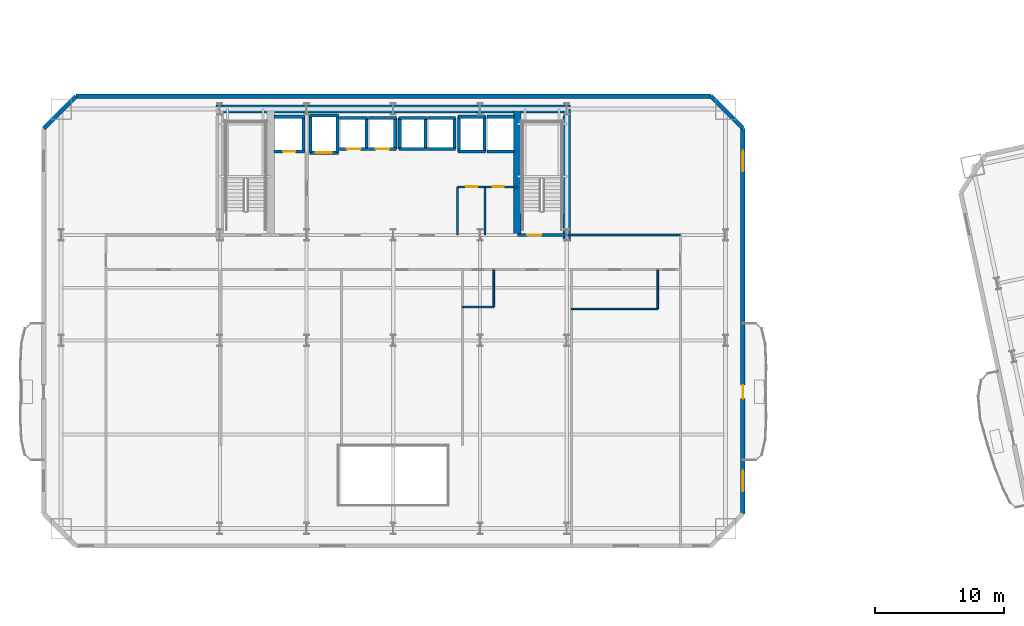
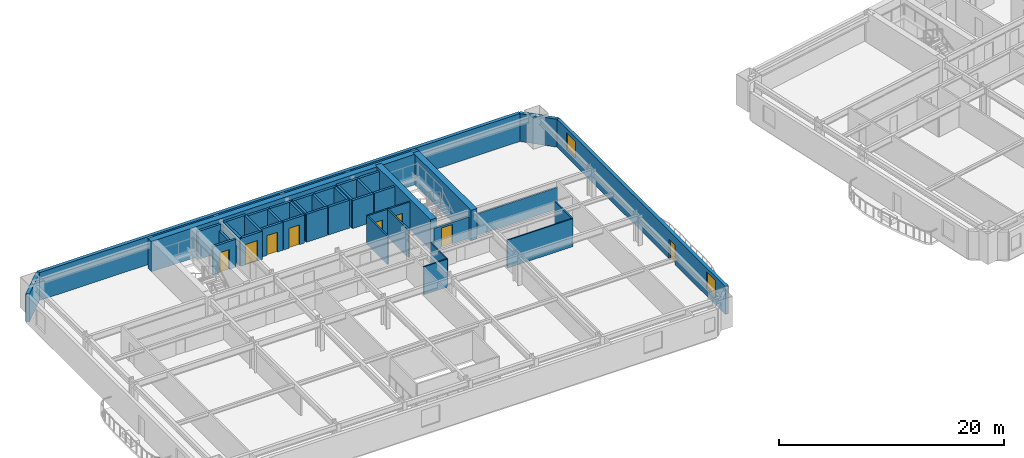
# One storey, part 6 of 16: 42 walls, 8 doors, 2 windows, 10 openings.
"""IFC4 building model written with IfcOpenShell, lengths in metres."""

import ifcopenshell
import ifcopenshell.guid

model = None  # the IFC model being written
_history = None  # IfcOwnerHistory: only IFC2X3 demands one
_inside = {}  # id of a spatial element -> (the spatial element, [elements in it])
_under = {}  # id of a project, library or spatial element -> (it, [spatial elements below it])
_declared = {}  # id of a project -> (the project, [libraries it declares])
_typed = {}  # id of a type object -> (the type object, [elements of that type])
_made_of = {}  # id of a material, layer set ... -> (it, [elements and type objects made of it])


def new_model(schema):
    """Start an empty IFC model of exactly this schema.

    Asked for "IFC4X3", IfcOpenShell would pick the latest addendum, in which some entities
    have other attributes; the version numbers below select the first issue.
    IFC2X3 requires an IfcOwnerHistory on every rooted entity: one is made here for all.
    """
    global model, _history
    if schema == "IFC4X3":
        model = ifcopenshell.file(schema_version=(4, 3, 0, 0))
    else:
        model = ifcopenshell.file(schema=schema)
    _inside.clear()
    _under.clear()
    _declared.clear()
    _typed.clear()
    _made_of.clear()
    _history = None
    if model.schema == "IFC2X3":
        org = make("IfcOrganization", Name="unknown")
        user = make(
            "IfcPersonAndOrganization",
            ThePerson=make("IfcPerson", FamilyName="unknown"),
            TheOrganization=org,
        )
        app = make(
            "IfcApplication",
            ApplicationDeveloper=org,
            Version="unknown",
            ApplicationFullName="unknown",
            ApplicationIdentifier="unknown",
        )
        _history = make(
            "IfcOwnerHistory",
            OwningUser=user,
            OwningApplication=app,
            ChangeAction="ADDED",
            CreationDate=0,
        )
    return model


def make(cls, **values):
    """One entity of the class cls with the attributes given. An attribute that is None is left unset."""
    return model.create_entity(
        cls, **{name: value for name, value in values.items() if value is not None}
    )


def rooted(cls, **values):
    """An entity with a GlobalId (a new one), such as an element, a storey or a relation."""
    return make(cls, GlobalId=ifcopenshell.guid.new(), OwnerHistory=_history, **values)


def si_unit(unit_type, name, prefix=None):
    """IfcSIUnit, for example si_unit("LENGTHUNIT", "METRE", prefix="MILLI")."""
    return make("IfcSIUnit", UnitType=unit_type, Prefix=prefix, Name=name)


def assignment(units):
    """IfcUnitAssignment: the units of a project."""
    return None if units is None else make("IfcUnitAssignment", Units=units)


def point(xyz):
    """IfcCartesianPoint."""
    return None if xyz is None else make("IfcCartesianPoint", Coordinates=xyz)


def direction(xyz):
    """IfcDirection."""
    return None if xyz is None else make("IfcDirection", DirectionRatios=xyz)


def frame(location, z_axis=None, x_axis=None):
    """IfcAxis2Placement3D, a coordinate frame: its origin and axes. An axis left out is left unset."""
    return make(
        "IfcAxis2Placement3D",
        Location=point(location),
        Axis=direction(z_axis),
        RefDirection=direction(x_axis),
    )


def frame_2d(location, x_axis=None):
    """IfcAxis2Placement2D, a coordinate frame in the plane: its origin and x axis."""
    return make(
        "IfcAxis2Placement2D", Location=point(location), RefDirection=direction(x_axis)
    )


def origin():
    """The frame at (0, 0, 0) with its axes left unset."""
    return frame((0.0, 0.0, 0.0))


def place(relative_to, where):
    """IfcLocalPlacement: puts the frame where relative to a parent placement (None: the world)."""
    return make(
        "IfcLocalPlacement", PlacementRelTo=relative_to, RelativePlacement=where
    )


def context(
    kind, dimensions, precision=None, world=None, true_north=None, identifier=None
):
    """IfcGeometricRepresentationContext, for example the 3D "Model" context."""
    return make(
        "IfcGeometricRepresentationContext",
        ContextIdentifier=identifier,
        ContextType=kind,
        CoordinateSpaceDimension=dimensions,
        Precision=precision,
        WorldCoordinateSystem=world,
        TrueNorth=true_north,
    )


def subcontext(parent, identifier, kind, view, scale=None):
    """IfcGeometricRepresentationSubContext, for example "Body" below "Model"."""
    return make(
        "IfcGeometricRepresentationSubContext",
        ContextIdentifier=identifier,
        ContextType=kind,
        ParentContext=parent,
        TargetScale=scale,
        TargetView=view,
    )


def project(units=None, contexts=None):
    """IfcProject with its units and contexts."""
    return rooted(
        "IfcProject",
        Name="project",
        RepresentationContexts=contexts,
        UnitsInContext=assignment(units),
    )


def spatial(cls, under=None, at=None, **own):
    """A site, building, storey or space (cls), placed at a placement, below another one or the project."""
    s = rooted(cls, ObjectPlacement=at, **own)
    if under is not None:
        _under.setdefault(under.id(), (under, []))[1].append(s)
    return s


def profile(cls, at=None, kind="AREA", **sizes):
    """A parametric profile (cls). Its sizes go by their IFC names, for example OverallWidth=200.0."""
    return make(cls, ProfileType=kind, Position=at, **sizes)


def rectangle(**sizes):
    """IfcRectangleProfileDef."""
    return profile("IfcRectangleProfileDef", **sizes)


def extrude(swept, where, along, depth):
    """IfcExtrudedAreaSolid: the profile swept, set in the frame where, extruded along a direction by depth."""
    return make(
        "IfcExtrudedAreaSolid",
        SweptArea=swept,
        Position=where,
        ExtrudedDirection=direction(along),
        Depth=depth,
    )


def shape(context_of_items, identifier, shape_type, items):
    """IfcShapeRepresentation: the items that make up one representation, for example the "Body"."""
    return make(
        "IfcShapeRepresentation",
        ContextOfItems=context_of_items,
        RepresentationIdentifier=identifier,
        RepresentationType=shape_type,
        Items=items,
    )


def material(Name=None, Category=None):
    """IfcMaterial."""
    return make("IfcMaterial", Name=Name, Category=Category)


def layer(
    of_material, thickness, ventilated=None, Name=None, Category=None, Priority=None
):
    """IfcMaterialLayer: one layer of a wall or slab, of a material (None: an air gap)."""
    return make(
        "IfcMaterialLayer",
        Material=of_material,
        LayerThickness=thickness,
        IsVentilated=ventilated,
        Name=Name,
        Category=Category,
        Priority=Priority,
    )


def layer_set(layers, Name=None):
    """IfcMaterialLayerSet."""
    return make("IfcMaterialLayerSet", MaterialLayers=layers, LayerSetName=Name)


def made_of(thing, what):
    """Note that an element or type object is made of a material, layer set ...; save() writes the relation."""
    if what is not None:
        _made_of.setdefault(what.id(), (what, []))[1].append(thing)
    return thing


def type_object(cls, material=None, **own):
    """A type object (cls), such as IfcWallType, which elements share."""
    return made_of(rooted(cls, **own), material)


def element(
    cls,
    number,
    at=None,
    inside=None,
    cuts=None,
    type_object=None,
    material=None,
    context=None,
    identifier="Body",
    shape_type=None,
    held_by="IfcProductDefinitionShape",
    body=None,
    shapes=None,
    **own,
):
    """One element of the class cls, such as IfcWall. Its Tag is "e" and its number.

    at: its placement. inside: the storey or other place that contains it. cuts: it is an
    opening in that element (IfcRelVoidsElement). A single representation is given by context,
    identifier, shape_type and body (its items); several are given by shapes. held_by: the class
    of the entity that holds the representations. save() writes the other relations.
    """
    e = rooted(cls, Tag="e%d" % number, ObjectPlacement=at, **own)
    if body is not None:
        shapes = [shape(context, identifier, shape_type, body)]
    if shapes is not None:
        e.Representation = make(held_by, Representations=shapes)
    if inside is not None:
        _inside.setdefault(inside.id(), (inside, []))[1].append(e)
    if cuts is not None:
        rooted(
            "IfcRelVoidsElement", RelatingBuildingElement=cuts, RelatedOpeningElement=e
        )
    if type_object is not None:
        _typed.setdefault(type_object.id(), (type_object, []))[1].append(e)
    return made_of(e, material)


def fill(opening, filler):
    """IfcRelFillsElement: the door or window that sits in an opening."""
    return rooted(
        "IfcRelFillsElement",
        RelatingOpeningElement=opening,
        RelatedBuildingElement=filler,
    )


def aggregate(whole, parts):
    """IfcRelAggregates: a whole, such as a stair, and the parts it consists of."""
    return rooted("IfcRelAggregates", RelatingObject=whole, RelatedObjects=parts)


def save(model, path):
    """Write the relations noted so far, then the file.

    IfcRelAggregates (storeys below a building ...), IfcRelContainedInSpatialStructure (elements
    in a storey), IfcRelDefinesByType, IfcRelAssociatesMaterial and IfcRelDeclares: one each for
    every whole, place, type object, material and project.
    """
    for whole, parts in _under.values():
        aggregate(whole, parts)
    for where, things in _inside.values():
        rooted(
            "IfcRelContainedInSpatialStructure",
            RelatedElements=things,
            RelatingStructure=where,
        )
    for kind, things in _typed.values():
        rooted("IfcRelDefinesByType", RelatedObjects=things, RelatingType=kind)
    for what, things in _made_of.values():
        rooted("IfcRelAssociatesMaterial", RelatedObjects=things, RelatingMaterial=what)
    for by, libraries in _declared.values():
        rooted("IfcRelDeclares", RelatingContext=by, RelatedDefinitions=libraries)
    model.write(path)


model = new_model("IFC4")

# Units and contexts
model_context = context("Model", 3, precision=1e-05, world=origin(), true_north=direction((0.0, 1.0)))
body_context = subcontext(model_context, "Body", "Model", "MODEL_VIEW")
ifc_project = project(units=[si_unit("LENGTHUNIT", "METRE"), si_unit("AREAUNIT", "SQUARE_METRE"), si_unit("VOLUMEUNIT", "CUBIC_METRE"), si_unit("PLANEANGLEUNIT", "RADIAN"), si_unit("MASSUNIT", "GRAM", prefix="KILO")], contexts=[model_context])

# Site, building, storey
site_placement = place(None, origin())
site = spatial("IfcSite", under=ifc_project, at=site_placement, CompositionType="ELEMENT")
building_placement = place(site_placement, origin())
building = spatial("IfcBuilding", under=site, at=building_placement, Name="Haevon Station Towers", CompositionType="ELEMENT")
storey_placement = place(building_placement, frame((0.0, 0.0, 43.800048828125)))
storey = spatial("IfcBuildingStorey", under=building, at=storey_placement, Name="L10", CompositionType="ELEMENT", Elevation=43.800048828125)

# Wall, opening, door
ifc_material_1 = material(Name="Gypsum board on steel stud", Category="steel")
ifc_layer_1 = layer(ifc_material_1, 0.199951171875)
ifc_layer_set_1 = layer_set([ifc_layer_1], Name="Gypsum board on steel stud")
wall_type_1 = type_object("IfcWallType", Name="WL-COR200", PredefinedType="PARTITIONING", material=ifc_layer_set_1)
wall_1_placement = place(storey_placement, frame((47.14990234375, 38.199951171875, 0.0), z_axis=(0.0, 0.0, 1.0), x_axis=(1.0, 0.0, 0.0)))
wall_1 = element("IfcWall", 1, at=wall_1_placement, inside=storey, type_object=wall_type_1, Name="WL-ST-ST2-L10", PredefinedType="PARTITIONING", context=body_context, shape_type="SweptSolid", body=[
    extrude(rectangle(XDim=3.85009765625, YDim=0.199951171875, at=frame_2d((1.925048828125, 0.0))), origin(), (0.0, 0.0, 1.0), 2.329833984375),
])
opening_1_placement = place(wall_1_placement, frame((0.75, 0.0, 0.0)))
opening_1 = element("IfcOpeningElement", 2, at=opening_1_placement, cuts=wall_1, Name="Opening DR-ST-ST2-L10", PredefinedType="OPENING", context=body_context, shape_type="SweptSolid", body=[
    extrude(rectangle(XDim=1.1201171875, YDim=2.10009765625, at=frame_2d((0.56005859375, 1.050048828125))), frame((0.0, 0.10986328125, 0.0), z_axis=(0.0, -1.0, 0.0), x_axis=(1.0, 0.0, 0.0)), (0.0, 0.0, 1.0), 0.219970703125),
])
ifc_material_2 = material(Name="Engineered oak timber", Category="wood")
door_type_1 = type_object("IfcDoorType", Name="DR-ST-1120", OperationType="NOTDEFINED", PredefinedType="DOOR", material=ifc_material_2)
door_1_placement = place(opening_1_placement, origin())
door_1 = element("IfcDoor", 3, at=door_1_placement, inside=storey, type_object=door_type_1, Name="L10 Escape Stair ST2 Fire Door", OperationType="SINGLE_SWING_LEFT", OverallHeight=2.10009765625, OverallWidth=1.1201171875, PredefinedType="DOOR", context=body_context, shape_type="SweptSolid", body=[
    extrude(rectangle(XDim=1.1201171875, YDim=2.10009765625, at=frame_2d((0.56005859375, 1.050048828125))), frame((0.0, 0.02490234375, 0.0), z_axis=(0.0, -1.0, 0.0), x_axis=(1.0, 0.0, 0.0)), (0.0, 0.0, 1.0), 0.050048828125),
])
fill(opening_1, door_1)

# Walls
ifc_material_3 = material(Name="Concrete C60/75", Category="concrete")
ifc_layer_2 = layer(ifc_material_3, 0.60009765625)
ifc_layer_set_2 = layer_set([ifc_layer_2], Name="Concrete C60/75")
wall_type_2 = type_object("IfcWallType", Name="WL-CR600", PredefinedType="SHEAR", material=ifc_layer_set_2)
wall_2_placement = place(storey_placement, frame((23.699951171875, 48.0, 0.0), z_axis=(0.0, 0.0, 1.0), x_axis=(1.0, 0.0, 0.0)))
element("IfcWall", 4, at=wall_2_placement, inside=storey, type_object=wall_type_2, Name="WL-T1CR-L10-N", PredefinedType="SHEAR", context=body_context, shape_type="SweptSolid", body=[
    extrude(rectangle(XDim=27.60009765625, YDim=0.60009765625, at=frame_2d((13.800048828125, 0.0))), origin(), (0.0, 0.0, 1.0), 3.300048828125),
])
wall_3_placement = place(storey_placement, frame((51.0, 37.679931640625, 0.0), z_axis=(0.0, 0.0, 1.0), x_axis=(0.0, 1.0, 0.0)))
element("IfcWall", 5, at=wall_3_placement, inside=storey, type_object=wall_type_2, Name="WL-T1CR-L10-E", PredefinedType="SHEAR", context=body_context, shape_type="SweptSolid", body=[
    extrude(rectangle(XDim=10.320068359375, YDim=0.60009765625, at=frame_2d((5.16015625, 0.0))), origin(), (0.0, 0.0, 1.0), 3.300048828125),
])
wall_4_placement = place(storey_placement, frame((47.14990234375, 38.199951171875, 0.0), z_axis=(0.0, 0.0, 1.0), x_axis=(0.0, 1.0, 0.0)))
element("IfcWall", 6, at=wall_4_placement, inside=storey, type_object=wall_type_2, Name="WL-T1CR-L10-M2", PredefinedType="SHEAR", context=body_context, shape_type="SweptSolid", body=[
    extrude(rectangle(XDim=9.800048828125, YDim=0.60009765625, at=frame_2d((4.89990234375, 0.0))), origin(), (0.0, 0.0, 1.0), 3.300048828125),
])
ifc_material_4 = material(Name="Precast concrete C45/55", Category="concrete")
ifc_layer_3 = layer(ifc_material_4, 0.340087890625)
ifc_layer_set_3 = layer_set([ifc_layer_3], Name="Precast concrete C45/55")
wall_type_3 = type_object("IfcWallType", Name="WL-EXT-PIER340", PredefinedType="SOLIDWALL", material=ifc_layer_set_3)
wall_5_placement = place(storey_placement, frame((10.300048828125, 46.5, 0.0), z_axis=(0.0, 0.0, 1.0), x_axis=(0.707106781187, 0.707106781187, 0.0)))
element("IfcWall", 7, at=wall_5_placement, inside=storey, type_object=wall_type_3, Name="WL-T1-L10-NWC", PredefinedType="SOLIDWALL", context=body_context, shape_type="SweptSolid", body=[
    extrude(rectangle(XDim=3.53564453125, YDim=0.340087890625, at=frame_2d((1.767822265625, 0.0))), origin(), (0.0, 0.0, 1.0), 3.030029296875),
])
wall_6_placement = place(storey_placement, frame((12.800048828125, 49.0, 0.0), z_axis=(0.0, 0.0, 1.0), x_axis=(1.0, 0.0, 0.0)))
element("IfcWall", 8, at=wall_6_placement, inside=storey, type_object=wall_type_3, Name="WL-T1-L10-N", PredefinedType="SOLIDWALL", context=body_context, shape_type="SweptSolid", body=[
    extrude(rectangle(XDim=49.39990234375, YDim=0.340087890625, at=frame_2d((24.699951171875, 0.0))), origin(), (0.0, 0.0, 1.0), 3.030029296875),
])
wall_7_placement = place(storey_placement, frame((62.199951171875, 49.0, 0.0), z_axis=(0.0, 0.0, 1.0), x_axis=(0.707106781187, -0.707106781187, 0.0)))
element("IfcWall", 9, at=wall_7_placement, inside=storey, type_object=wall_type_3, Name="WL-T1-L10-NEC", PredefinedType="SOLIDWALL", context=body_context, shape_type="SweptSolid", body=[
    extrude(rectangle(XDim=3.53564453125, YDim=0.340087890625, at=frame_2d((1.767822265625, 0.0))), origin(), (0.0, 0.0, 1.0), 3.030029296875),
])

# Wall, openings, door, windows
wall_8_placement = place(storey_placement, frame((64.699951171875, 46.5, 0.0), z_axis=(0.0, 0.0, 1.0), x_axis=(0.0, -1.0, 0.0)))
wall_8 = element("IfcWall", 10, at=wall_8_placement, inside=storey, type_object=wall_type_3, Name="WL-T1-L10-E", PredefinedType="SOLIDWALL", context=body_context, shape_type="SweptSolid", body=[
    extrude(rectangle(XDim=30.0, YDim=0.340087890625, at=frame_2d((15.0, 0.0))), origin(), (0.0, 0.0, 1.0), 3.030029296875),
])
opening_2_placement = place(wall_8_placement, frame((19.97509765625, 0.0, 0.0)))
opening_2 = element("IfcOpeningElement", 11, at=opening_2_placement, cuts=wall_8, Name="Opening DR-T1-SCAL-L10-E", PredefinedType="OPENING", context=body_context, shape_type="SweptSolid", body=[
    extrude(rectangle(XDim=1.050048828125, YDim=2.10009765625, at=frame_2d((0.52490234375, 1.050048828125))), frame((0.0, 0.179931640625, 0.0), z_axis=(0.0, -1.0, 0.0), x_axis=(1.0, 0.0, 0.0)), (0.0, 0.0, 1.0), 0.360107421875),
])
opening_3_placement = place(wall_8_placement, frame((1.757080078125, 0.0, 0.800048828125)))
opening_3 = element("IfcOpeningElement", 12, at=opening_3_placement, cuts=wall_8, Name="Opening WN-END160", PredefinedType="OPENING", context=body_context, shape_type="SweptSolid", body=[
    extrude(rectangle(XDim=1.60009765625, YDim=1.800048828125, at=frame_2d((0.800048828125, 0.89990234375))), frame((0.0, 0.179931640625, 0.0), z_axis=(0.0, -1.0, 0.0), x_axis=(1.0, 0.0, 0.0)), (0.0, 0.0, 1.0), 0.360107421875),
])
opening_4_placement = place(wall_8_placement, frame((26.642822265625, 0.0, 0.800048828125)))
opening_4 = element("IfcOpeningElement", 13, at=opening_4_placement, cuts=wall_8, Name="Opening WN-END160", PredefinedType="OPENING", context=body_context, shape_type="SweptSolid", body=[
    extrude(rectangle(XDim=1.60009765625, YDim=1.800048828125, at=frame_2d((0.800048828125, 0.89990234375))), frame((0.0, 0.179931640625, 0.0), z_axis=(0.0, -1.0, 0.0), x_axis=(1.0, 0.0, 0.0)), (0.0, 0.0, 1.0), 0.360107421875),
])
ifc_material_5 = material(Name="Thermally broken anodised aluminium and laminated safety glass", Category="aluminium")
door_type_2 = type_object("IfcDoorType", Name="DR-BALC-1050", OperationType="NOTDEFINED", PredefinedType="DOOR", material=ifc_material_5)
door_2_placement = place(opening_2_placement, origin())
door_2 = element("IfcDoor", 14, at=door_2_placement, inside=storey, type_object=door_type_2, Name="Tower 1 L10 East Scalloped Balcony Door", OperationType="SINGLE_SWING_RIGHT", OverallHeight=2.10009765625, OverallWidth=1.050048828125, PredefinedType="DOOR", context=body_context, shape_type="SweptSolid", body=[
    extrude(rectangle(XDim=1.050048828125, YDim=2.10009765625, at=frame_2d((0.52490234375, 1.050048828125))), frame((0.0, 0.02490234375, 0.0), z_axis=(0.0, -1.0, 0.0), x_axis=(1.0, 0.0, 0.0)), (0.0, 0.0, 1.0), 0.050048828125),
])
fill(opening_2, door_2)
ifc_material_6 = material(Name="Low-E triple glazing in thermally broken aluminium", Category="aluminium")
window_type = type_object("IfcWindowType", Name="WN-END160", PartitioningType="SINGLE_PANEL", PredefinedType="WINDOW", material=ifc_material_6)
window_1_placement = place(opening_3_placement, origin())
window_1 = element("IfcWindow", 15, at=window_1_placement, inside=storey, type_object=window_type, Name="WN-T1-L10-E01", OverallHeight=1.800048828125, OverallWidth=1.60009765625, PartitioningType="SINGLE_PANEL", PredefinedType="WINDOW", context=body_context, shape_type="SweptSolid", body=[
    extrude(rectangle(XDim=1.60009765625, YDim=1.800048828125, at=frame_2d((0.800048828125, 0.89990234375))), frame((0.0, 0.030029296875, 0.0), z_axis=(0.0, -1.0, 0.0), x_axis=(1.0, 0.0, 0.0)), (0.0, 0.0, 1.0), 0.06005859375),
])
fill(opening_3, window_1)
window_2_placement = place(opening_4_placement, origin())
window_2 = element("IfcWindow", 16, at=window_2_placement, inside=storey, type_object=window_type, Name="WN-T1-L10-E02", OverallHeight=1.800048828125, OverallWidth=1.60009765625, PartitioningType="SINGLE_PANEL", PredefinedType="WINDOW", context=body_context, shape_type="SweptSolid", body=[
    extrude(rectangle(XDim=1.60009765625, YDim=1.800048828125, at=frame_2d((0.800048828125, 0.89990234375))), frame((0.0, 0.030029296875, 0.0), z_axis=(0.0, -1.0, 0.0), x_axis=(1.0, 0.0, 0.0)), (0.0, 0.0, 1.0), 0.06005859375),
])
fill(opening_4, window_2)

# Walls
ifc_layer_4 = layer(ifc_material_1, 0.125)
ifc_layer_set_4 = layer_set([ifc_layer_4], Name="Gypsum board on steel stud")
wall_type_4 = type_object("IfcWallType", Name="WL-PRT125", PredefinedType="PARTITIONING", material=ifc_layer_set_4)
wall_9_placement = place(storey_placement, frame((45.31396484375, 32.60009765625, 0.0), z_axis=(0.0, 0.0, 1.0), x_axis=(0.0, 1.0, 0.0)))
element("IfcWall", 17, at=wall_9_placement, inside=storey, type_object=wall_type_4, Name="WL-T1PT-L10-15", PredefinedType="PARTITIONING", context=body_context, shape_type="SweptSolid", body=[
    extrude(rectangle(XDim=2.89990234375, YDim=0.125, at=frame_2d((1.449951171875, 0.0))), origin(), (0.0, 0.0, 1.0), 3.030029296875),
])
wall_10_placement = place(storey_placement, frame((51.35693359375, 32.449951171875, 0.0), z_axis=(0.0, 0.0, 1.0), x_axis=(1.0, 0.0, 0.0)))
element("IfcWall", 18, at=wall_10_placement, inside=storey, type_object=wall_type_4, Name="WL-T1PT-L10-17", PredefinedType="PARTITIONING", context=body_context, shape_type="SweptSolid", body=[
    extrude(rectangle(XDim=6.713134765625, YDim=0.125, at=frame_2d((3.3564453125, 0.0))), origin(), (0.0, 0.0, 1.0), 3.030029296875),
])
ifc_layer_5 = layer(ifc_material_1, 0.139892578125)
ifc_layer_set_5 = layer_set([ifc_layer_5], Name="Gypsum board on steel stud")
wall_type_5 = type_object("IfcWallType", Name="WL-PRT140", PredefinedType="PARTITIONING", material=ifc_layer_set_5)
wall_11_placement = place(storey_placement, frame((42.864013671875, 32.60009765625, 0.0), z_axis=(0.0, 0.0, 1.0), x_axis=(1.0, 0.0, 0.0)))
element("IfcWall", 19, at=wall_11_placement, inside=storey, type_object=wall_type_5, Name="WL-T1PT-L10-14", PredefinedType="PARTITIONING", context=body_context, shape_type="SweptSolid", body=[
    extrude(rectangle(XDim=2.449951171875, YDim=0.139892578125, at=frame_2d((1.22509765625, 0.0))), origin(), (0.0, 0.0, 1.0), 3.030029296875),
])
wall_12_placement = place(storey_placement, frame((58.070068359375, 32.449951171875, 0.0), z_axis=(0.0, 0.0, 1.0), x_axis=(0.0, 1.0, 0.0)))
element("IfcWall", 20, at=wall_12_placement, inside=storey, type_object=wall_type_5, Name="WL-T1PT-L10-18", PredefinedType="PARTITIONING", context=body_context, shape_type="SweptSolid", body=[
    extrude(rectangle(XDim=3.050048828125, YDim=0.139892578125, at=frame_2d((1.52490234375, 0.0))), origin(), (0.0, 0.0, 1.0), 3.030029296875),
])
ifc_layer_6 = layer(ifc_material_1, 0.159912109375)
ifc_layer_set_6 = layer_set([ifc_layer_6], Name="Gypsum board on steel stud")
wall_type_6 = type_object("IfcWallType", Name="WL-PRT160", PredefinedType="PARTITIONING", material=ifc_layer_set_6)
for number, where, z_axis, x_axis, name in (
    (21, (42.5, 38.199951171875, 0.0), (0.0, 0.0, 1.0), (0.0, 1.0, 0.0), "WL-T1CW-L10-01"),
    (22, (44.6298828125, 38.199951171875, 0.0), (0.0, 0.0, 1.0), (0.0, 1.0, 0.0), "WL-T1CW-L10-02"),
):
    element("IfcWall", number, at=place(storey_placement, frame(where, z_axis=z_axis, x_axis=x_axis)), inside=storey, type_object=wall_type_6, Name=name, PredefinedType="PARTITIONING", context=body_context, shape_type="SweptSolid", body=[
        extrude(rectangle(XDim=3.75, YDim=0.159912109375, at=frame_2d((1.875, 0.0))), origin(), (0.0, 0.0, 1.0), 3.030029296875),
    ])

# Wall, openings, doors
wall_13_placement = place(storey_placement, frame((42.5, 41.949951171875, 0.0), z_axis=(0.0, 0.0, 1.0), x_axis=(1.0, 0.0, 0.0)))
wall_13 = element("IfcWall", 23, at=wall_13_placement, inside=storey, type_object=wall_type_6, Name="WL-T1CW-L10-03", PredefinedType="PARTITIONING", context=body_context, shape_type="SweptSolid", body=[
    extrude(rectangle(XDim=4.64990234375, YDim=0.159912109375, at=frame_2d((2.324951171875, 0.0))), origin(), (0.0, 0.0, 1.0), 3.030029296875),
])
opening_5_placement = place(wall_13_placement, frame((0.659912109375, 0.0, 0.0)))
opening_5 = element("IfcOpeningElement", 24, at=opening_5_placement, cuts=wall_13, Name="Opening DR-WL-T1CW-L10-03-1", PredefinedType="OPENING", context=body_context, shape_type="SweptSolid", body=[
    extrude(rectangle(XDim=0.85009765625, YDim=2.050048828125, at=frame_2d((0.425048828125, 1.02490234375))), frame((0.0, 0.08984375, 0.0), z_axis=(0.0, -1.0, 0.0), x_axis=(1.0, 0.0, 0.0)), (0.0, 0.0, 1.0), 0.179931640625),
])
opening_6_placement = place(wall_13_placement, frame((2.72998046875, 0.0, 0.0)))
opening_6 = element("IfcOpeningElement", 25, at=opening_6_placement, cuts=wall_13, Name="Opening DR-WL-T1CW-L10-03-2", PredefinedType="OPENING", context=body_context, shape_type="SweptSolid", body=[
    extrude(rectangle(XDim=0.85009765625, YDim=2.050048828125, at=frame_2d((0.425048828125, 1.02490234375))), frame((0.0, 0.08984375, 0.0), z_axis=(0.0, -1.0, 0.0), x_axis=(1.0, 0.0, 0.0)), (0.0, 0.0, 1.0), 0.179931640625),
])
door_type_3 = type_object("IfcDoorType", Name="DR-FD30-850", OperationType="NOTDEFINED", PredefinedType="DOOR", material=ifc_material_2)
door_3_placement = place(opening_5_placement, origin())
door_3 = element("IfcDoor", 26, at=door_3_placement, inside=storey, type_object=door_type_3, Name="L10 Tower 1 Core Room Door 3-1", OperationType="SINGLE_SWING_RIGHT", OverallHeight=2.050048828125, OverallWidth=0.85009765625, PredefinedType="DOOR", context=body_context, shape_type="SweptSolid", body=[
    extrude(rectangle(XDim=0.85009765625, YDim=2.050048828125, at=frame_2d((0.425048828125, 1.02490234375))), frame((0.0, 0.02490234375, 0.0), z_axis=(0.0, -1.0, 0.0), x_axis=(1.0, 0.0, 0.0)), (0.0, 0.0, 1.0), 0.050048828125),
])
fill(opening_5, door_3)
door_4_placement = place(opening_6_placement, origin())
door_4 = element("IfcDoor", 27, at=door_4_placement, inside=storey, type_object=door_type_3, Name="L10 Tower 1 Core Room Door 3-2", OperationType="SINGLE_SWING_LEFT", OverallHeight=2.050048828125, OverallWidth=0.85009765625, PredefinedType="DOOR", context=body_context, shape_type="SweptSolid", body=[
    extrude(rectangle(XDim=0.85009765625, YDim=2.050048828125, at=frame_2d((0.425048828125, 1.02490234375))), frame((0.0, 0.02490234375, 0.0), z_axis=(0.0, -1.0, 0.0), x_axis=(1.0, 0.0, 0.0)), (0.0, 0.0, 1.0), 0.050048828125),
])
fill(opening_6, door_4)

# Wall
wall_14_placement = place(storey_placement, frame((51.0, 38.199951171875, 0.0), z_axis=(0.0, 0.0, 1.0), x_axis=(1.0, 0.0, 0.0)))
element("IfcWall", 28, at=wall_14_placement, inside=storey, type_object=wall_type_6, Name="WL-T1PT-L10-02", PredefinedType="PARTITIONING", context=body_context, shape_type="SweptSolid", body=[
    extrude(rectangle(XDim=8.85009765625, YDim=0.159912109375, at=frame_2d((4.425048828125, 0.0))), origin(), (0.0, 0.0, 1.0), 2.329833984375),
])

# Wall, opening, door
ifc_material_7 = material(Name="Concrete C40/50", Category="concrete")
ifc_layer_7 = layer(ifc_material_7, 0.239990234375)
ifc_layer_set_7 = layer_set([ifc_layer_7], Name="Concrete C40/50")
wall_type_7 = type_object("IfcWallType", Name="WL-SHF240", PredefinedType="PARTITIONING", material=ifc_layer_set_7)
wall_15_placement = place(storey_placement, frame((28.219970703125, 44.699951171875, 0.0), z_axis=(0.0, 0.0, 1.0), x_axis=(1.0, 0.0, 0.0)))
wall_15 = element("IfcWall", 29, at=wall_15_placement, inside=storey, type_object=wall_type_7, Name="WL-SHF-FL1-L10", PredefinedType="PARTITIONING", context=body_context, shape_type="SweptSolid", body=[
    extrude(rectangle(XDim=2.360107421875, YDim=0.239990234375, at=frame_2d((1.18017578125, 0.0))), origin(), (0.0, 0.0, 1.0), 3.030029296875),
])
opening_7_placement = place(wall_15_placement, frame((0.705078125, 0.0, 0.0)))
opening_7 = element("IfcOpeningElement", 30, at=opening_7_placement, cuts=wall_15, Name="Opening LD-FL1-L10", PredefinedType="OPENING", context=body_context, shape_type="SweptSolid", body=[
    extrude(rectangle(XDim=0.949951171875, YDim=2.14990234375, at=frame_2d((0.47509765625, 1.074951171875))), frame((0.0, 0.1298828125, 0.0), z_axis=(0.0, -1.0, 0.0), x_axis=(1.0, 0.0, 0.0)), (0.0, 0.0, 1.0), 0.260009765625),
])
ifc_material_8 = material(Name="Stainless steel and rated core", Category="steel")
door_type_4 = type_object("IfcDoorType", Name="LD-FL950", OperationType="SLIDING_TO_LEFT", PredefinedType="DOOR", material=ifc_material_8)
door_5_placement = place(opening_7_placement, origin())
door_5 = element("IfcDoor", 31, at=door_5_placement, inside=storey, type_object=door_type_4, Name="L10 Lift FL1 Sliding Landing Door", OperationType="SLIDING_TO_LEFT", OverallHeight=2.14990234375, OverallWidth=0.949951171875, PredefinedType="DOOR", context=body_context, shape_type="SweptSolid", body=[
    extrude(rectangle(XDim=0.949951171875, YDim=2.14990234375, at=frame_2d((0.47509765625, 1.074951171875))), frame((0.0, 0.02490234375, 0.0), z_axis=(0.0, -1.0, 0.0), x_axis=(1.0, 0.0, 0.0)), (0.0, 0.0, 1.0), 0.050048828125),
])
fill(opening_7, door_5)

# Walls
wall_16_placement = place(storey_placement, frame((28.219970703125, 47.39990234375, 0.0), z_axis=(0.0, 0.0, 1.0), x_axis=(1.0, 0.0, 0.0)))
element("IfcWall", 32, at=wall_16_placement, inside=storey, type_object=wall_type_7, Name="WL-SHF-FL1-L10-N", PredefinedType="PARTITIONING", context=body_context, shape_type="SweptSolid", body=[
    extrude(rectangle(XDim=2.360107421875, YDim=0.239990234375, at=frame_2d((1.18017578125, 0.0))), origin(), (0.0, 0.0, 1.0), 3.030029296875),
])
wall_17_placement = place(storey_placement, frame((30.5, 44.699951171875, 0.0), z_axis=(0.0, 0.0, 1.0), x_axis=(0.0, 1.0, 0.0)))
element("IfcWall", 33, at=wall_17_placement, inside=storey, type_object=wall_type_7, Name="WL-SHF-FL1-L10-E", PredefinedType="PARTITIONING", context=body_context, shape_type="SweptSolid", body=[
    extrude(rectangle(XDim=2.699951171875, YDim=0.239990234375, at=frame_2d((1.35009765625, 0.0))), origin(), (0.0, 0.0, 1.0), 2.329833984375),
])

# Wall, opening, door
wall_18_placement = place(storey_placement, frame((30.969970703125, 44.60009765625, 0.0), z_axis=(0.0, 0.0, 1.0), x_axis=(1.0, 0.0, 0.0)))
wall_18 = element("IfcWall", 34, at=wall_18_placement, inside=storey, type_object=wall_type_7, Name="WL-SHF-SL1-L10", PredefinedType="PARTITIONING", context=body_context, shape_type="SweptSolid", body=[
    extrude(rectangle(XDim=2.260009765625, YDim=0.239990234375, at=frame_2d((1.1298828125, 0.0))), origin(), (0.0, 0.0, 1.0), 3.030029296875),
])
opening_8_placement = place(wall_18_placement, frame((0.5048828125, 0.0, 0.0)))
opening_8 = element("IfcOpeningElement", 35, at=opening_8_placement, cuts=wall_18, Name="Opening LD-SL1-L10", PredefinedType="OPENING", context=body_context, shape_type="SweptSolid", body=[
    extrude(rectangle(XDim=1.25, YDim=2.199951171875, at=frame_2d((0.625, 1.10009765625))), frame((0.0, 0.1298828125, 0.0), z_axis=(0.0, -1.0, 0.0), x_axis=(1.0, 0.0, 0.0)), (0.0, 0.0, 1.0), 0.260009765625),
])
door_type_5 = type_object("IfcDoorType", Name="LD-SL1250", OperationType="SLIDING_TO_LEFT", PredefinedType="DOOR", material=ifc_material_8)
door_6_placement = place(opening_8_placement, origin())
door_6 = element("IfcDoor", 36, at=door_6_placement, inside=storey, type_object=door_type_5, Name="L10 Lift SL1 Sliding Landing Door", OperationType="SLIDING_TO_LEFT", OverallHeight=2.199951171875, OverallWidth=1.25, PredefinedType="DOOR", context=body_context, shape_type="SweptSolid", body=[
    extrude(rectangle(XDim=1.25, YDim=2.199951171875, at=frame_2d((0.625, 1.10009765625))), frame((0.0, 0.02490234375, 0.0), z_axis=(0.0, -1.0, 0.0), x_axis=(1.0, 0.0, 0.0)), (0.0, 0.0, 1.0), 0.050048828125),
])
fill(opening_8, door_6)

# Walls
wall_19_placement = place(storey_placement, frame((30.969970703125, 47.5, 0.0), z_axis=(0.0, 0.0, 1.0), x_axis=(1.0, 0.0, 0.0)))
element("IfcWall", 37, at=wall_19_placement, inside=storey, type_object=wall_type_7, Name="WL-SHF-SL1-L10-N", PredefinedType="PARTITIONING", context=body_context, shape_type="SweptSolid", body=[
    extrude(rectangle(XDim=2.260009765625, YDim=0.239990234375, at=frame_2d((1.1298828125, 0.0))), origin(), (0.0, 0.0, 1.0), 3.030029296875),
])
for number, where, z_axis, x_axis, name in (
    (38, (31.050048828125, 44.60009765625, 0.0), (0.0, 0.0, 1.0), (0.0, 1.0, 0.0), "WL-SHF-SL1-L10-W"),
    (39, (33.14990234375, 44.60009765625, 0.0), (0.0, 0.0, 1.0), (0.0, 1.0, 0.0), "WL-SHF-SL1-L10-E"),
):
    element("IfcWall", number, at=place(storey_placement, frame(where, z_axis=z_axis, x_axis=x_axis)), inside=storey, type_object=wall_type_7, Name=name, PredefinedType="PARTITIONING", context=body_context, shape_type="SweptSolid", body=[
        extrude(rectangle(XDim=2.89990234375, YDim=0.239990234375, at=frame_2d((1.449951171875, 0.0))), origin(), (0.0, 0.0, 1.0), 3.030029296875),
    ])

# Wall, opening, door
wall_20_placement = place(storey_placement, frame((33.320068359375, 44.89990234375, 0.0), z_axis=(0.0, 0.0, 1.0), x_axis=(1.0, 0.0, 0.0)))
wall_20 = element("IfcWall", 40, at=wall_20_placement, inside=storey, type_object=wall_type_7, Name="WL-SHF-PL1-L10", PredefinedType="PARTITIONING", context=body_context, shape_type="SweptSolid", body=[
    extrude(rectangle(XDim=2.159912109375, YDim=0.239990234375, at=frame_2d((1.080078125, 0.0))), origin(), (0.0, 0.0, 1.0), 3.030029296875),
])
opening_9_placement = place(wall_20_placement, frame((0.554931640625, 0.0, 0.0)))
opening_9 = element("IfcOpeningElement", 41, at=opening_9_placement, cuts=wall_20, Name="Opening LD-PL1-L10", PredefinedType="OPENING", context=body_context, shape_type="SweptSolid", body=[
    extrude(rectangle(XDim=1.050048828125, YDim=2.14990234375, at=frame_2d((0.52490234375, 1.074951171875))), frame((0.0, 0.1298828125, 0.0), z_axis=(0.0, -1.0, 0.0), x_axis=(1.0, 0.0, 0.0)), (0.0, 0.0, 1.0), 0.260009765625),
])
door_type_6 = type_object("IfcDoorType", Name="LD-PL1050", OperationType="SLIDING_TO_LEFT", PredefinedType="DOOR", material=ifc_material_8)
door_7_placement = place(opening_9_placement, origin())
door_7 = element("IfcDoor", 42, at=door_7_placement, inside=storey, type_object=door_type_6, Name="L10 Lift PL1 Sliding Landing Door", OperationType="SLIDING_TO_LEFT", OverallHeight=2.14990234375, OverallWidth=1.050048828125, PredefinedType="DOOR", context=body_context, shape_type="SweptSolid", body=[
    extrude(rectangle(XDim=1.050048828125, YDim=2.14990234375, at=frame_2d((0.52490234375, 1.074951171875))), frame((0.0, 0.02490234375, 0.0), z_axis=(0.0, -1.0, 0.0), x_axis=(1.0, 0.0, 0.0)), (0.0, 0.0, 1.0), 0.050048828125),
])
fill(opening_9, door_7)

# Walls
wall_21_placement = place(storey_placement, frame((33.320068359375, 47.300048828125, 0.0), z_axis=(0.0, 0.0, 1.0), x_axis=(1.0, 0.0, 0.0)))
element("IfcWall", 43, at=wall_21_placement, inside=storey, type_object=wall_type_7, Name="WL-SHF-PL1-L10-N", PredefinedType="PARTITIONING", context=body_context, shape_type="SweptSolid", body=[
    extrude(rectangle(XDim=2.159912109375, YDim=0.239990234375, at=frame_2d((1.080078125, 0.0))), origin(), (0.0, 0.0, 1.0), 3.030029296875),
])
wall_22_placement = place(storey_placement, frame((35.39990234375, 44.89990234375, 0.0), z_axis=(0.0, 0.0, 1.0), x_axis=(0.0, 1.0, 0.0)))
element("IfcWall", 44, at=wall_22_placement, inside=storey, type_object=wall_type_7, Name="WL-SHF-PL1-L10-E", PredefinedType="PARTITIONING", context=body_context, shape_type="SweptSolid", body=[
    extrude(rectangle(XDim=2.400146484375, YDim=0.239990234375, at=frame_2d((1.2001953125, 0.0))), origin(), (0.0, 0.0, 1.0), 3.030029296875),
])

# Wall, opening, door
wall_23_placement = place(storey_placement, frame((35.570068359375, 44.89990234375, 0.0), z_axis=(0.0, 0.0, 1.0), x_axis=(1.0, 0.0, 0.0)))
wall_23 = element("IfcWall", 45, at=wall_23_placement, inside=storey, type_object=wall_type_7, Name="WL-SHF-PL2-L10", PredefinedType="PARTITIONING", context=body_context, shape_type="SweptSolid", body=[
    extrude(rectangle(XDim=2.159912109375, YDim=0.239990234375, at=frame_2d((1.080078125, 0.0))), origin(), (0.0, 0.0, 1.0), 3.030029296875),
])
opening_10_placement = place(wall_23_placement, frame((0.554931640625, 0.0, 0.0)))
opening_10 = element("IfcOpeningElement", 46, at=opening_10_placement, cuts=wall_23, Name="Opening LD-PL2-L10", PredefinedType="OPENING", context=body_context, shape_type="SweptSolid", body=[
    extrude(rectangle(XDim=1.050048828125, YDim=2.14990234375, at=frame_2d((0.52490234375, 1.074951171875))), frame((0.0, 0.1298828125, 0.0), z_axis=(0.0, -1.0, 0.0), x_axis=(1.0, 0.0, 0.0)), (0.0, 0.0, 1.0), 0.260009765625),
])
door_8_placement = place(opening_10_placement, origin())
door_8 = element("IfcDoor", 47, at=door_8_placement, inside=storey, type_object=door_type_6, Name="L10 Lift PL2 Sliding Landing Door", OperationType="SLIDING_TO_LEFT", OverallHeight=2.14990234375, OverallWidth=1.050048828125, PredefinedType="DOOR", context=body_context, shape_type="SweptSolid", body=[
    extrude(rectangle(XDim=1.050048828125, YDim=2.14990234375, at=frame_2d((0.52490234375, 1.074951171875))), frame((0.0, 0.02490234375, 0.0), z_axis=(0.0, -1.0, 0.0), x_axis=(1.0, 0.0, 0.0)), (0.0, 0.0, 1.0), 0.050048828125),
])
fill(opening_10, door_8)

# Walls
wall_24_placement = place(storey_placement, frame((35.570068359375, 47.300048828125, 0.0), z_axis=(0.0, 0.0, 1.0), x_axis=(1.0, 0.0, 0.0)))
element("IfcWall", 48, at=wall_24_placement, inside=storey, type_object=wall_type_7, Name="WL-SHF-PL2-L10-N", PredefinedType="PARTITIONING", context=body_context, shape_type="SweptSolid", body=[
    extrude(rectangle(XDim=2.159912109375, YDim=0.239990234375, at=frame_2d((1.080078125, 0.0))), origin(), (0.0, 0.0, 1.0), 3.030029296875),
])
wall_25_placement = place(storey_placement, frame((37.64990234375, 44.89990234375, 0.0), z_axis=(0.0, 0.0, 1.0), x_axis=(0.0, 1.0, 0.0)))
element("IfcWall", 49, at=wall_25_placement, inside=storey, type_object=wall_type_7, Name="WL-SHF-PL2-L10-E", PredefinedType="PARTITIONING", context=body_context, shape_type="SweptSolid", body=[
    extrude(rectangle(XDim=2.400146484375, YDim=0.239990234375, at=frame_2d((1.2001953125, 0.0))), origin(), (0.0, 0.0, 1.0), 3.030029296875),
])
for number, where, z_axis, x_axis, name in (
    (50, (37.919921875, 44.89990234375, 0.0), (0.0, 0.0, 1.0), (1.0, 0.0, 0.0), "WL-SHF-PL3-L10"),
    (51, (37.919921875, 47.300048828125, 0.0), (0.0, 0.0, 1.0), (1.0, 0.0, 0.0), "WL-SHF-PL3-L10-N"),
):
    element("IfcWall", number, at=place(storey_placement, frame(where, z_axis=z_axis, x_axis=x_axis)), inside=storey, type_object=wall_type_7, Name=name, PredefinedType="PARTITIONING", context=body_context, shape_type="SweptSolid", body=[
        extrude(rectangle(XDim=2.16015625, YDim=0.239990234375, at=frame_2d((1.080078125, 0.0))), origin(), (0.0, 0.0, 1.0), 3.030029296875),
    ])
for number, where, z_axis, x_axis, name in (
    (52, (38.0, 44.89990234375, 0.0), (0.0, 0.0, 1.0), (0.0, 1.0, 0.0), "WL-SHF-PL3-L10-W"),
    (53, (40.0, 44.89990234375, 0.0), (0.0, 0.0, 1.0), (0.0, 1.0, 0.0), "WL-SHF-PL3-L10-E"),
):
    element("IfcWall", number, at=place(storey_placement, frame(where, z_axis=z_axis, x_axis=x_axis)), inside=storey, type_object=wall_type_7, Name=name, PredefinedType="PARTITIONING", context=body_context, shape_type="SweptSolid", body=[
        extrude(rectangle(XDim=2.400146484375, YDim=0.239990234375, at=frame_2d((1.2001953125, 0.0))), origin(), (0.0, 0.0, 1.0), 3.030029296875),
    ])
for number, where, z_axis, x_axis, name in (
    (54, (40.169921875, 44.89990234375, 0.0), (0.0, 0.0, 1.0), (1.0, 0.0, 0.0), "WL-SHF-PL4-L10"),
    (55, (40.169921875, 47.300048828125, 0.0), (0.0, 0.0, 1.0), (1.0, 0.0, 0.0), "WL-SHF-PL4-L10-N"),
):
    element("IfcWall", number, at=place(storey_placement, frame(where, z_axis=z_axis, x_axis=x_axis)), inside=storey, type_object=wall_type_7, Name=name, PredefinedType="PARTITIONING", context=body_context, shape_type="SweptSolid", body=[
        extrude(rectangle(XDim=2.16015625, YDim=0.239990234375, at=frame_2d((1.080078125, 0.0))), origin(), (0.0, 0.0, 1.0), 3.030029296875),
    ])
wall_26_placement = place(storey_placement, frame((42.25, 44.89990234375, 0.0), z_axis=(0.0, 0.0, 1.0), x_axis=(0.0, 1.0, 0.0)))
element("IfcWall", 56, at=wall_26_placement, inside=storey, type_object=wall_type_7, Name="WL-SHF-PL4-L10-E", PredefinedType="PARTITIONING", context=body_context, shape_type="SweptSolid", body=[
    extrude(rectangle(XDim=2.400146484375, YDim=0.239990234375, at=frame_2d((1.2001953125, 0.0))), origin(), (0.0, 0.0, 1.0), 3.030029296875),
])
for number, where, z_axis, x_axis, name in (
    (57, (42.52001953125, 44.699951171875, 0.0), (0.0, 0.0, 1.0), (1.0, 0.0, 0.0), "WL-SHF-PL5-L10"),
    (58, (42.52001953125, 47.39990234375, 0.0), (0.0, 0.0, 1.0), (1.0, 0.0, 0.0), "WL-SHF-PL5-L10-N"),
):
    element("IfcWall", number, at=place(storey_placement, frame(where, z_axis=z_axis, x_axis=x_axis)), inside=storey, type_object=wall_type_7, Name=name, PredefinedType="PARTITIONING", context=body_context, shape_type="SweptSolid", body=[
        extrude(rectangle(XDim=2.159912109375, YDim=0.239990234375, at=frame_2d((1.080078125, 0.0))), origin(), (0.0, 0.0, 1.0), 3.030029296875),
    ])
for number, where, z_axis, x_axis, name in (
    (59, (42.60009765625, 44.699951171875, 0.0), (0.0, 0.0, 1.0), (0.0, 1.0, 0.0), "WL-SHF-PL5-L10-W"),
    (60, (44.60009765625, 44.699951171875, 0.0), (0.0, 0.0, 1.0), (0.0, 1.0, 0.0), "WL-SHF-PL5-L10-E"),
):
    element("IfcWall", number, at=place(storey_placement, frame(where, z_axis=z_axis, x_axis=x_axis)), inside=storey, type_object=wall_type_7, Name=name, PredefinedType="PARTITIONING", context=body_context, shape_type="SweptSolid", body=[
        extrude(rectangle(XDim=2.699951171875, YDim=0.239990234375, at=frame_2d((1.35009765625, 0.0))), origin(), (0.0, 0.0, 1.0), 3.030029296875),
    ])
for number, where, z_axis, x_axis, name in (
    (61, (44.77001953125, 44.699951171875, 0.0), (0.0, 0.0, 1.0), (1.0, 0.0, 0.0), "WL-SHF-PL6-L10"),
    (62, (44.77001953125, 47.39990234375, 0.0), (0.0, 0.0, 1.0), (1.0, 0.0, 0.0), "WL-SHF-PL6-L10-N"),
):
    element("IfcWall", number, at=place(storey_placement, frame(where, z_axis=z_axis, x_axis=x_axis)), inside=storey, type_object=wall_type_7, Name=name, PredefinedType="PARTITIONING", context=body_context, shape_type="SweptSolid", body=[
        extrude(rectangle(XDim=2.159912109375, YDim=0.239990234375, at=frame_2d((1.080078125, 0.0))), origin(), (0.0, 0.0, 1.0), 3.030029296875),
    ])

save(model, "model.ifc")
